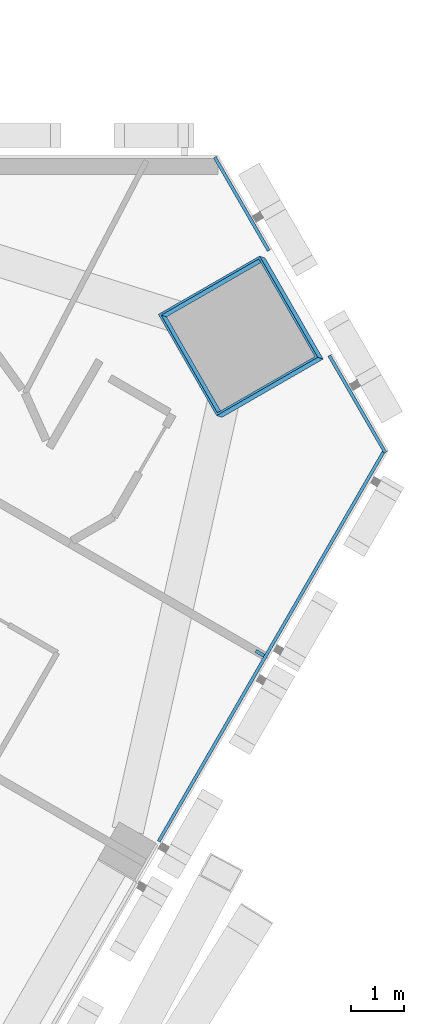
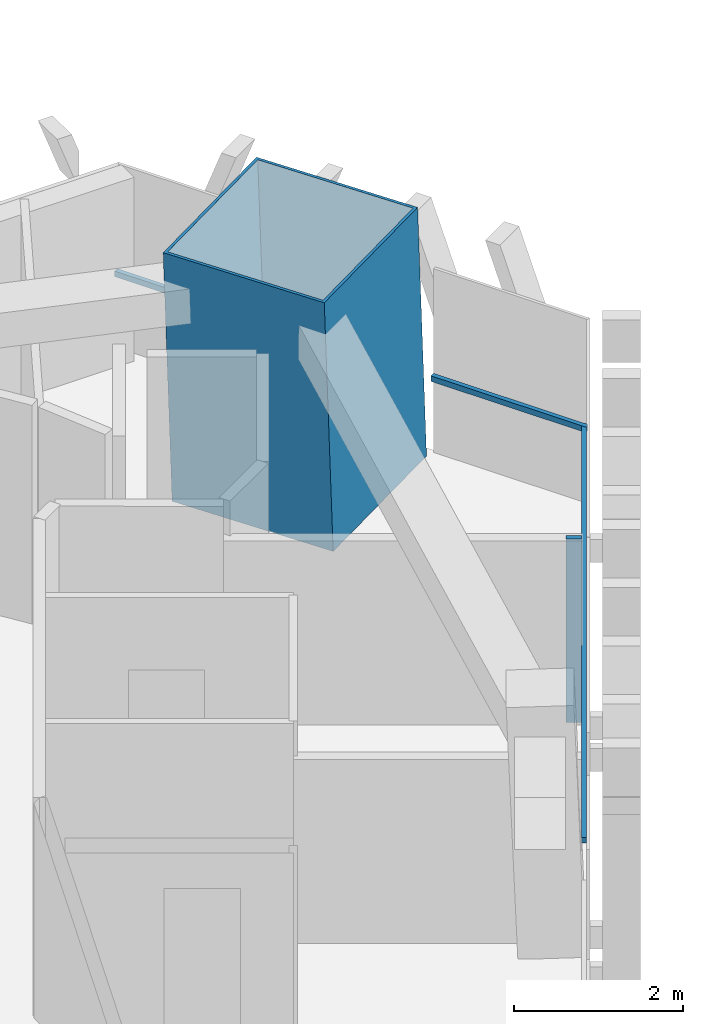
# One storey, part 8 of 17: 5 members, 2 elements without a shape of their own.
"""IFC4 building model written with IfcOpenShell, lengths in metres."""

from ifc_helpers import new_model, si_unit, direction, frame, origin, origin_2d, place, context, subcontext, project, spatial, rectangle, hollow_rectangle, extrude, material, layer, layer_set, material_profile, profile_set, type_object, element, aggregate, save


model = new_model("IFC4")

# Units and contexts
model_context = context("Model", 3, precision=1e-05, world=origin(), true_north=direction((0.0, 1.0)))
body_context = subcontext(model_context, "Body", "Model", "MODEL_VIEW")
ifc_project = project(units=[si_unit("LENGTHUNIT", "METRE"), si_unit("AREAUNIT", "SQUARE_METRE"), si_unit("VOLUMEUNIT", "CUBIC_METRE"), si_unit("PLANEANGLEUNIT", "RADIAN"), si_unit("MASSUNIT", "GRAM", prefix="KILO")], contexts=[model_context])

# Site, building, storey
site_placement = place(None, origin())
site = spatial("IfcSite", under=ifc_project, at=site_placement, CompositionType="ELEMENT")
building_placement = place(site_placement, origin())
building = spatial("IfcBuilding", under=site, at=building_placement, Name="Altiplano Prism Tower", CompositionType="ELEMENT")
storey_placement = place(building_placement, frame((0.0, 0.0, 194.39990234375)))
storey = spatial("IfcBuildingStorey", under=building, at=storey_placement, Name="L50", CompositionType="ELEMENT", Elevation=194.39990234375)

# Curtain wall, members
ifc_material_1 = material(Name="Aluminium and glass", Category="aluminium")
ifc_layer = layer(ifc_material_1, 0.280029296875)
ifc_layer_set = layer_set([ifc_layer], Name="Aluminium and glass")
curtain_wall_type = type_object("IfcCurtainWallType", Name="CW1 typical co-living unitised curtain wall", PredefinedType="NOTDEFINED", material=ifc_layer_set)
curtain_wall_1_placement = place(storey_placement, origin())
curtain_wall_1 = element("IfcCurtainWall", 1, at=curtain_wall_1_placement, inside=storey, type_object=curtain_wall_type, Name="CW1 curtain wall south-east face L50", PredefinedType="NOTDEFINED")
ifc_material_2 = material(Name="Aluminium", Category="aluminium")
ifc_material_profile_1 = material_profile(ifc_material_2, rectangle(XDim=0.179931640625, YDim=0.06494140625, at=origin_2d()), Name="CW1 mullion 65 x 180")
ifc_profile_set_1 = profile_set([ifc_material_profile_1], Name="Aluminium")
member_type_1 = type_object("IfcMemberType", Name="CW1 mullion 65 x 180", PredefinedType="MULLION", material=ifc_profile_set_1)
member_1_placement = place(storey_placement, frame((108.302490234375, 95.625732421875, 0.0), z_axis=(0.0, 0.0, 1.0), x_axis=(-0.866025410146, 0.499999988981, 0.0)))
member_1 = element("IfcMember", 2, at=member_1_placement, type_object=member_type_1, Name="CW1 mullion", PredefinedType="MULLION", context=body_context, shape_type="SweptSolid", body=[
    extrude(rectangle(XDim=0.179931640625, YDim=0.06494140625, at=origin_2d()), origin(), (0.0, 0.0, 1.0), 2.650146484375),
])
ifc_material_profile_2 = material_profile(ifc_material_2, rectangle(XDim=0.06005859375, YDim=0.080078125, at=origin_2d()), Name="CW1 transom 80 x 60")
ifc_profile_set_2 = profile_set([ifc_material_profile_2], Name="Aluminium")
member_type_2 = type_object("IfcMemberType", Name="CW1 transom 80 x 60", PredefinedType="USERDEFINED", material=ifc_profile_set_2)
member_2_placement = place(storey_placement, frame((106.396240234375, 92.083984375, 1.10009765625), z_axis=(0.499979186492, 0.866037420136, 0.0), x_axis=(-0.866037420136, 0.499979186492, 0.0)))
member_2 = element("IfcMember", 3, at=member_2_placement, type_object=member_type_2, Name="CW1 transom", ObjectType="TRANSOM", PredefinedType="USERDEFINED", context=body_context, shape_type="SweptSolid", body=[
    extrude(rectangle(XDim=0.06005859375, YDim=0.080078125, at=origin_2d()), origin(), (0.0, 0.0, 1.0), 8.533447265625),
])
aggregate(curtain_wall_1, [member_1, member_2])

curtain_wall_2_placement = place(storey_placement, origin())
curtain_wall_2 = element("IfcCurtainWall", 4, at=curtain_wall_2_placement, inside=storey, type_object=curtain_wall_type, Name="CW1 curtain wall north-east chamfer L50", PredefinedType="NOTDEFINED")
member_3_placement = place(storey_placement, frame((110.662841796875, 99.404296875, 1.10009765625), z_axis=(-0.499946083158, 0.86605653045, 0.0), x_axis=(-0.86605653045, -0.499946083158, 0.0)))
member_3 = element("IfcMember", 5, at=member_3_placement, type_object=member_type_2, Name="CW1 transom", ObjectType="TRANSOM", PredefinedType="USERDEFINED", context=body_context, shape_type="SweptSolid", body=[
    extrude(rectangle(XDim=0.06005859375, YDim=0.080078125, at=origin_2d()), origin(), (0.0, 0.0, 1.0), 2.110595703125),
])
member_4_placement = place(storey_placement, frame((108.4677734375, 103.20654296875, 1.10009765625), z_axis=(-0.499941024108, 0.866059450854, 0.0), x_axis=(-0.866059450854, -0.499941024108, 0.0)))
member_4 = element("IfcMember", 6, at=member_4_placement, type_object=member_type_2, Name="CW1 transom", ObjectType="TRANSOM", PredefinedType="USERDEFINED", context=body_context, shape_type="SweptSolid", body=[
    extrude(rectangle(XDim=0.06005859375, YDim=0.080078125, at=origin_2d()), origin(), (0.0, 0.0, 1.0), 2.030517578125),
])
aggregate(curtain_wall_2, [member_3, member_4])

# Member
ifc_material_3 = material(Name="Steel S460", Category="steel")
ifc_material_profile_3 = material_profile(ifc_material_3, hollow_rectangle(XDim=2.199951171875, YDim=2.199951171875, WallThickness=0.0400390625, at=origin_2d()), Name="Mega column tube 2200")
ifc_profile_set_3 = profile_set([ifc_material_profile_3], Name="Steel S460")
member_type_3 = type_object("IfcMemberType", Name="Mega column tube 2200", PredefinedType="POST", material=ifc_profile_set_3)
member_5_placement = place(storey_placement, frame((107.992431640625, 101.569580078125, 0.0), z_axis=(-0.028334066552, 0.009286524205, 0.999555371723), x_axis=(0.498275389395, -0.866735148496, 0.022176985495)))
element("IfcMember", 7, at=member_5_placement, inside=storey, type_object=member_type_3, Name="Mega column tube M2 L50", PredefinedType="POST", context=body_context, shape_type="SweptSolid", body=[
    extrude(hollow_rectangle(XDim=2.199951171875, YDim=2.199951171875, WallThickness=0.0400390625, at=origin_2d()), origin(), (0.0, 0.0, 1.0), 3.601806640625),
])

save(model, "model.ifc")
